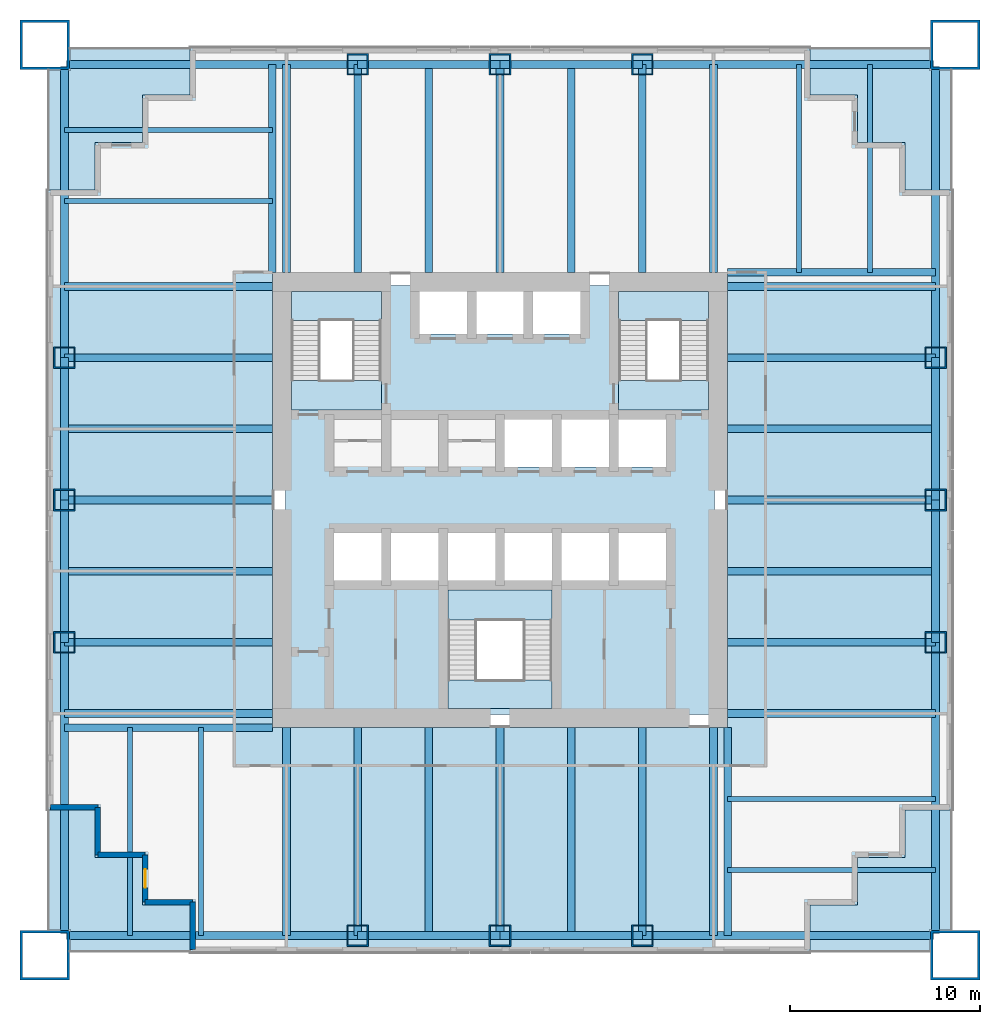
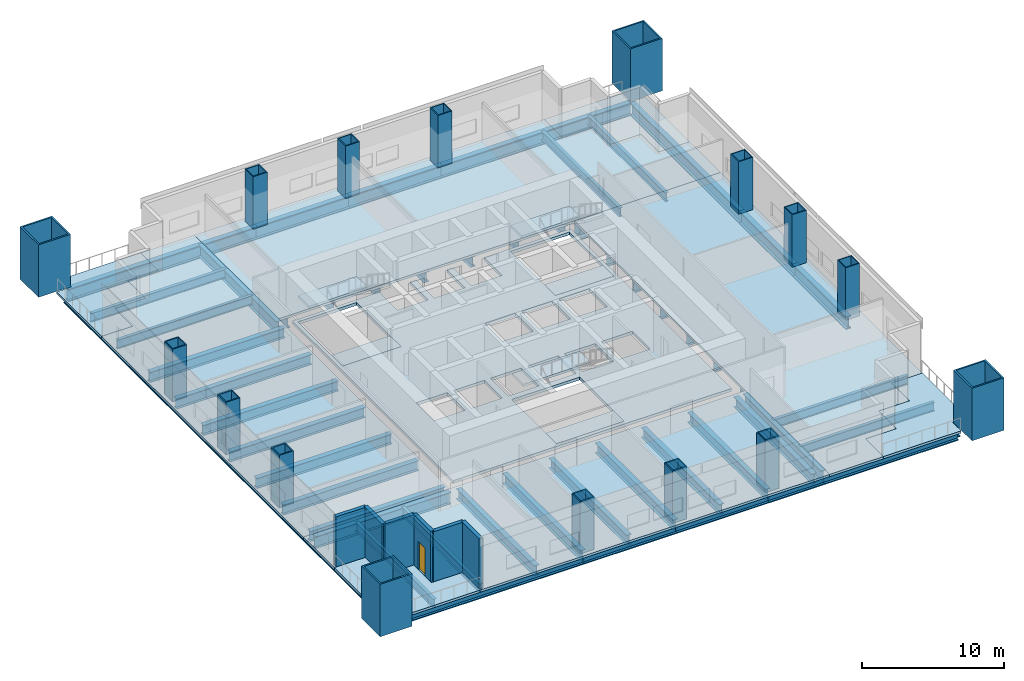
# One storey, part 1 of 7: 56 beams, 16 columns, 15 slabs, 6 walls, 1 door, 1 opening, 3 elements without a shape of their own.
"""IFC4 building model written with IfcOpenShell, lengths in metres."""

from ifc_helpers import new_model, si_unit, direction, frame, frame_2d, origin, origin_2d, place, context, subcontext, project, spatial, polyline, rectangle, hollow_rectangle, i_section, outline, extrude, material, layer, layer_set, material_profile, profile_set, type_object, element, fill, aggregate, save


model = new_model("IFC4")

# Units and contexts
model_context = context("Model", 3, precision=1e-05, world=origin(), true_north=direction((0.0, 1.0)))
body_context = subcontext(model_context, "Body", "Model", "MODEL_VIEW")
ifc_project = project(units=[si_unit("LENGTHUNIT", "METRE"), si_unit("AREAUNIT", "SQUARE_METRE"), si_unit("VOLUMEUNIT", "CUBIC_METRE"), si_unit("PLANEANGLEUNIT", "RADIAN"), si_unit("MASSUNIT", "GRAM", prefix="KILO")], contexts=[model_context])

# Site, building, storey
site_placement = place(None, origin())
site = spatial("IfcSite", under=ifc_project, at=site_placement, CompositionType="ELEMENT")
building_placement = place(site_placement, origin())
building = spatial("IfcBuilding", under=site, at=building_placement, Name="Tarangal Relay Tower", CompositionType="ELEMENT")
storey_placement = place(building_placement, frame((0.0, 0.0, 149.39990234375)))
storey = spatial("IfcBuildingStorey", under=building, at=storey_placement, Name="L30", CompositionType="ELEMENT", Elevation=149.39990234375)

# Columns
ifc_material_1 = material(Name="Steel ASTM A572 Grade 42", Category="steel")
ifc_material_profile_1 = material_profile(ifc_material_1, hollow_rectangle(XDim=2.60009765625, YDim=2.60009765625, WallThickness=0.1298828125, at=origin_2d()), Name="BOX2600X2600X130")
ifc_profile_set_1 = profile_set([ifc_material_profile_1], Name="Steel ASTM A572 Grade 42")
column_type_1 = type_object("IfcColumnType", Name="Mega column BOX2600X2600X130", PredefinedType="COLUMN", material=ifc_profile_set_1)
for number, where, z_axis, x_axis, name in (
    (1, (24.0, 24.0, 0.0), (0.0, 0.0, 1.0), (1.0, 0.0, 0.0), "Mega column MC2 NE L30"),
    (2, (24.0, -24.0, 0.0), (0.0, 0.0, 1.0), (1.0, 0.0, 0.0), "Mega column MC2 SE L30"),
    (3, (-24.0, -24.0, 0.0), (0.0, 0.0, 1.0), (1.0, 0.0, 0.0), "Mega column MC2 SW L30"),
    (4, (-24.0, 24.0, 0.0), (0.0, 0.0, 1.0), (1.0, 0.0, 0.0), "Mega column MC2 NW L30"),
):
    element("IfcColumn", number, at=place(storey_placement, frame(where, z_axis=z_axis, x_axis=x_axis)), inside=storey, type_object=column_type_1, Name=name, PredefinedType="COLUMN", context=body_context, shape_type="SweptSolid", body=[
        extrude(hollow_rectangle(XDim=2.60009765625, YDim=2.60009765625, WallThickness=0.1298828125, at=origin_2d()), origin(), (0.0, 0.0, 1.0), 4.5),
    ])
ifc_material_2 = material(Name="Steel ASTM A572 Grade 50", Category="steel")
ifc_material_profile_2 = material_profile(ifc_material_2, hollow_rectangle(XDim=1.14990234375, YDim=1.14990234375, WallThickness=0.074951171875, at=origin_2d()), Name="BOX1150X1150X75")
ifc_profile_set_2 = profile_set([ifc_material_profile_2], Name="Steel ASTM A572 Grade 50")
column_type_2 = type_object("IfcColumnType", Name="Perimeter column BOX1150X1150X75", PredefinedType="COLUMN", material=ifc_profile_set_2)
for number, where, z_axis, x_axis, name in (
    (5, (-7.5, 22.965087890625, 0.0), (0.0, 0.0, 1.0), (1.0, 0.0, 0.0), "Perimeter column PC3 N L30"),
    (6, (0.0, 22.965087890625, 0.0), (0.0, 0.0, 1.0), (1.0, 0.0, 0.0), "Perimeter column PC3 N L30"),
    (7, (7.5, 22.965087890625, 0.0), (0.0, 0.0, 1.0), (1.0, 0.0, 0.0), "Perimeter column PC3 N L30"),
    (8, (22.965087890625, 7.5, 0.0), (0.0, 0.0, 1.0), (1.0, 0.0, 0.0), "Perimeter column PC3 E L30"),
    (9, (22.965087890625, 0.0, 0.0), (0.0, 0.0, 1.0), (1.0, 0.0, 0.0), "Perimeter column PC3 E L30"),
    (10, (22.965087890625, -7.5, 0.0), (0.0, 0.0, 1.0), (1.0, 0.0, 0.0), "Perimeter column PC3 E L30"),
    (11, (7.5, -22.965087890625, 0.0), (0.0, 0.0, 1.0), (1.0, 0.0, 0.0), "Perimeter column PC3 S L30"),
    (12, (0.0, -22.965087890625, 0.0), (0.0, 0.0, 1.0), (1.0, 0.0, 0.0), "Perimeter column PC3 S L30"),
    (13, (-7.5, -22.965087890625, 0.0), (0.0, 0.0, 1.0), (1.0, 0.0, 0.0), "Perimeter column PC3 S L30"),
    (14, (-22.965087890625, -7.5, 0.0), (0.0, 0.0, 1.0), (1.0, 0.0, 0.0), "Perimeter column PC3 W L30"),
    (15, (-22.965087890625, 0.0, 0.0), (0.0, 0.0, 1.0), (1.0, 0.0, 0.0), "Perimeter column PC3 W L30"),
    (16, (-22.965087890625, 7.5, 0.0), (0.0, 0.0, 1.0), (1.0, 0.0, 0.0), "Perimeter column PC3 W L30"),
):
    element("IfcColumn", number, at=place(storey_placement, frame(where, z_axis=z_axis, x_axis=x_axis)), inside=storey, type_object=column_type_2, Name=name, PredefinedType="COLUMN", context=body_context, shape_type="SweptSolid", body=[
        extrude(hollow_rectangle(XDim=1.14990234375, YDim=1.14990234375, WallThickness=0.074951171875, at=origin_2d()), origin(), (0.0, 0.0, 1.0), 4.5),
    ])

# Beams
ifc_material_3 = material(Name="Steel ASTM A992", Category="steel")
ifc_material_profile_3 = material_profile(ifc_material_3, i_section(OverallWidth=0.2666015625, OverallDepth=0.76953125, WebThickness=0.015625, FlangeThickness=0.025390625, at=origin_2d()), Name="W30X132")
ifc_profile_set_3 = profile_set([ifc_material_profile_3], Name="Steel ASTM A992")
beam_type_1 = type_object("IfcBeamType", Name="Corner beam W30X132", PredefinedType="JOIST", material=ifc_profile_set_3)
for number, where, z_axis, x_axis, name in (
    (17, (15.75, 12.0, -0.584716796875), (0.0, 1.0, 0.0), (-1.0, 0.0, 0.0), "Corner beam CB13 N L30"),
    (18, (19.5, 12.0, -0.584716796875), (0.0, 1.0, 0.0), (-1.0, 0.0, 0.0), "Corner beam CB13 N L30"),
    (19, (12.0, -15.75, -0.584716796875), (1.0, 0.0, 0.0), (0.0, 1.0, 0.0), "Corner beam CB13 E L30"),
    (20, (12.0, -19.5, -0.584716796875), (1.0, 0.0, 0.0), (0.0, 1.0, 0.0), "Corner beam CB13 E L30"),
    (21, (-15.75, -12.0, -0.584716796875), (0.0, -1.0, 0.0), (1.0, 0.0, 0.0), "Corner beam CB13 S L30"),
    (22, (-19.5, -12.0, -0.584716796875), (0.0, -1.0, 0.0), (1.0, 0.0, 0.0), "Corner beam CB13 S L30"),
    (23, (-12.0, 15.75, -0.584716796875), (-1.0, 0.0, 0.0), (0.0, -1.0, 0.0), "Corner beam CB13 W L30"),
    (24, (-12.0, 19.5, -0.584716796875), (-1.0, 0.0, 0.0), (0.0, -1.0, 0.0), "Corner beam CB13 W L30"),
):
    element("IfcBeam", number, at=place(storey_placement, frame(where, z_axis=z_axis, x_axis=x_axis)), inside=storey, type_object=beam_type_1, Name=name, PredefinedType="JOIST", context=body_context, shape_type="SweptSolid", body=[
        extrude(i_section(OverallWidth=0.2666015625, OverallDepth=0.76953125, WebThickness=0.015625, FlangeThickness=0.025390625, at=origin_2d()), origin(), (0.0, 0.0, 1.0), 10.965087890625),
    ])
ifc_material_profile_4 = material_profile(ifc_material_3, i_section(OverallWidth=0.4013671875, OverallDepth=1.01611328125, WebThickness=0.02099609375, FlangeThickness=0.0400390625, at=origin_2d()), Name="W40X277")
ifc_profile_set_4 = profile_set([ifc_material_profile_4], Name="Steel ASTM A992")
beam_type_2 = type_object("IfcBeamType", Name="Corner girder W40X277", PredefinedType="BEAM", material=ifc_profile_set_4)
for number, where, z_axis, x_axis, name in (
    (25, (12.0, 12.0, -0.7080078125), (1.0, 0.0, 0.0), (0.0, 1.0, 0.0), "Corner girder CG3 N L30"),
    (26, (12.0, -12.0, -0.7080078125), (0.0, -1.0, 0.0), (1.0, 0.0, 0.0), "Corner girder CG3 E L30"),
    (27, (-12.0, -12.0, -0.7080078125), (-1.0, 0.0, 0.0), (0.0, -1.0, 0.0), "Corner girder CG3 S L30"),
    (28, (-12.0, 12.0, -0.7080078125), (0.0, 1.0, 0.0), (-1.0, 0.0, 0.0), "Corner girder CG3 W L30"),
):
    element("IfcBeam", number, at=place(storey_placement, frame(where, z_axis=z_axis, x_axis=x_axis)), inside=storey, type_object=beam_type_2, Name=name, PredefinedType="BEAM", context=body_context, shape_type="SweptSolid", body=[
        extrude(i_section(OverallWidth=0.4013671875, OverallDepth=1.01611328125, WebThickness=0.02099609375, FlangeThickness=0.0400390625, at=origin_2d()), origin(), (0.0, 0.0, 1.0), 10.965087890625),
    ])
ifc_material_profile_5 = material_profile(ifc_material_3, i_section(OverallWidth=0.42431640625, OverallDepth=1.09228515625, WebThickness=0.04541015625, FlangeThickness=0.08203125, at=origin_2d()), Name="W40X593")
ifc_profile_set_5 = profile_set([ifc_material_profile_5], Name="Steel ASTM A992")
beam_type_3 = type_object("IfcBeamType", Name="Edge girder W40X593", PredefinedType="SPANDREL", material=ifc_profile_set_5)
beam_1_placement = place(storey_placement, frame((-22.85009765625, 22.965087890625, -0.74609375), z_axis=(1.0, 0.0, 0.0), x_axis=(0.0, 1.0, 0.0)))
element("IfcBeam", 29, at=beam_1_placement, inside=storey, type_object=beam_type_3, Name="Edge girder EG9 N L30", PredefinedType="SPANDREL", context=body_context, shape_type="SweptSolid", body=[
    extrude(i_section(OverallWidth=0.42431640625, OverallDepth=1.09228515625, WebThickness=0.04541015625, FlangeThickness=0.08203125, at=origin_2d()), origin(), (0.0, 0.0, 1.0), 15.35009765625),
])
for number, where, z_axis, x_axis, name in (
    (30, (-7.5, 22.965087890625, -0.74609375), (1.0, 0.0, 0.0), (0.0, 1.0, 0.0), "Edge girder EG9 N L30"),
    (31, (0.0, 22.965087890625, -0.74609375), (1.0, 0.0, 0.0), (0.0, 1.0, 0.0), "Edge girder EG9 N L30"),
):
    element("IfcBeam", number, at=place(storey_placement, frame(where, z_axis=z_axis, x_axis=x_axis)), inside=storey, type_object=beam_type_3, Name=name, PredefinedType="SPANDREL", context=body_context, shape_type="SweptSolid", body=[
        extrude(i_section(OverallWidth=0.42431640625, OverallDepth=1.09228515625, WebThickness=0.04541015625, FlangeThickness=0.08203125, at=origin_2d()), origin(), (0.0, 0.0, 1.0), 7.5),
    ])
for number, where, z_axis, x_axis, name in (
    (32, (7.5, 22.965087890625, -0.74609375), (1.0, 0.0, 0.0), (0.0, 1.0, 0.0), "Edge girder EG9 N L30"),
    (33, (22.965087890625, 22.85009765625, -0.74609375), (0.0, -1.0, 0.0), (1.0, 0.0, 0.0), "Edge girder EG9 E L30"),
):
    element("IfcBeam", number, at=place(storey_placement, frame(where, z_axis=z_axis, x_axis=x_axis)), inside=storey, type_object=beam_type_3, Name=name, PredefinedType="SPANDREL", context=body_context, shape_type="SweptSolid", body=[
        extrude(i_section(OverallWidth=0.42431640625, OverallDepth=1.09228515625, WebThickness=0.04541015625, FlangeThickness=0.08203125, at=origin_2d()), origin(), (0.0, 0.0, 1.0), 15.35009765625),
    ])
for number, where, z_axis, x_axis, name in (
    (34, (22.965087890625, 7.5, -0.74609375), (0.0, -1.0, 0.0), (1.0, 0.0, 0.0), "Edge girder EG9 E L30"),
    (35, (22.965087890625, 0.0, -0.74609375), (0.0, -1.0, 0.0), (1.0, 0.0, 0.0), "Edge girder EG9 E L30"),
):
    element("IfcBeam", number, at=place(storey_placement, frame(where, z_axis=z_axis, x_axis=x_axis)), inside=storey, type_object=beam_type_3, Name=name, PredefinedType="SPANDREL", context=body_context, shape_type="SweptSolid", body=[
        extrude(i_section(OverallWidth=0.42431640625, OverallDepth=1.09228515625, WebThickness=0.04541015625, FlangeThickness=0.08203125, at=origin_2d()), origin(), (0.0, 0.0, 1.0), 7.5),
    ])
for number, where, z_axis, x_axis, name in (
    (36, (22.965087890625, -7.5, -0.74609375), (0.0, -1.0, 0.0), (1.0, 0.0, 0.0), "Edge girder EG9 E L30"),
    (37, (22.85009765625, -22.965087890625, -0.74609375), (-1.0, 0.0, 0.0), (0.0, -1.0, 0.0), "Edge girder EG9 S L30"),
):
    element("IfcBeam", number, at=place(storey_placement, frame(where, z_axis=z_axis, x_axis=x_axis)), inside=storey, type_object=beam_type_3, Name=name, PredefinedType="SPANDREL", context=body_context, shape_type="SweptSolid", body=[
        extrude(i_section(OverallWidth=0.42431640625, OverallDepth=1.09228515625, WebThickness=0.04541015625, FlangeThickness=0.08203125, at=origin_2d()), origin(), (0.0, 0.0, 1.0), 15.35009765625),
    ])
for number, where, z_axis, x_axis, name in (
    (38, (7.5, -22.965087890625, -0.74609375), (-1.0, 0.0, 0.0), (0.0, -1.0, 0.0), "Edge girder EG9 S L30"),
    (39, (0.0, -22.965087890625, -0.74609375), (-1.0, 0.0, 0.0), (0.0, -1.0, 0.0), "Edge girder EG9 S L30"),
):
    element("IfcBeam", number, at=place(storey_placement, frame(where, z_axis=z_axis, x_axis=x_axis)), inside=storey, type_object=beam_type_3, Name=name, PredefinedType="SPANDREL", context=body_context, shape_type="SweptSolid", body=[
        extrude(i_section(OverallWidth=0.42431640625, OverallDepth=1.09228515625, WebThickness=0.04541015625, FlangeThickness=0.08203125, at=origin_2d()), origin(), (0.0, 0.0, 1.0), 7.5),
    ])
for number, where, z_axis, x_axis, name in (
    (40, (-7.5, -22.965087890625, -0.74609375), (-1.0, 0.0, 0.0), (0.0, -1.0, 0.0), "Edge girder EG9 S L30"),
    (41, (-22.965087890625, -22.85009765625, -0.74609375), (0.0, 1.0, 0.0), (-1.0, 0.0, 0.0), "Edge girder EG9 W L30"),
):
    element("IfcBeam", number, at=place(storey_placement, frame(where, z_axis=z_axis, x_axis=x_axis)), inside=storey, type_object=beam_type_3, Name=name, PredefinedType="SPANDREL", context=body_context, shape_type="SweptSolid", body=[
        extrude(i_section(OverallWidth=0.42431640625, OverallDepth=1.09228515625, WebThickness=0.04541015625, FlangeThickness=0.08203125, at=origin_2d()), origin(), (0.0, 0.0, 1.0), 15.35009765625),
    ])
for number, where, z_axis, x_axis, name in (
    (42, (-22.965087890625, -7.5, -0.74609375), (0.0, 1.0, 0.0), (-1.0, 0.0, 0.0), "Edge girder EG9 W L30"),
    (43, (-22.965087890625, 0.0, -0.74609375), (0.0, 1.0, 0.0), (-1.0, 0.0, 0.0), "Edge girder EG9 W L30"),
):
    element("IfcBeam", number, at=place(storey_placement, frame(where, z_axis=z_axis, x_axis=x_axis)), inside=storey, type_object=beam_type_3, Name=name, PredefinedType="SPANDREL", context=body_context, shape_type="SweptSolid", body=[
        extrude(i_section(OverallWidth=0.42431640625, OverallDepth=1.09228515625, WebThickness=0.04541015625, FlangeThickness=0.08203125, at=origin_2d()), origin(), (0.0, 0.0, 1.0), 7.5),
    ])
beam_2_placement = place(storey_placement, frame((-22.965087890625, 7.5, -0.74609375), z_axis=(0.0, 1.0, 0.0), x_axis=(-1.0, 0.0, 0.0)))
element("IfcBeam", 44, at=beam_2_placement, inside=storey, type_object=beam_type_3, Name="Edge girder EG9 W L30", PredefinedType="SPANDREL", context=body_context, shape_type="SweptSolid", body=[
    extrude(i_section(OverallWidth=0.42431640625, OverallDepth=1.09228515625, WebThickness=0.04541015625, FlangeThickness=0.08203125, at=origin_2d()), origin(), (0.0, 0.0, 1.0), 15.35009765625),
])
ifc_material_profile_6 = material_profile(ifc_material_3, i_section(OverallWidth=0.40380859375, OverallDepth=0.86865234375, WebThickness=0.02099609375, FlangeThickness=0.03564453125, at=origin_2d()), Name="W33X241")
ifc_profile_set_6 = profile_set([ifc_material_profile_6], Name="Steel ASTM A992")
beam_type_4 = type_object("IfcBeamType", Name="Floor beam W33X241", PredefinedType="BEAM", material=ifc_profile_set_6)
for number, where, z_axis, x_axis, name in (
    (45, (-11.25, 12.0, -0.63427734375), (0.0, 1.0, 0.0), (-1.0, 0.0, 0.0), "Floor beam RB11 N L30"),
    (46, (-7.5, 12.0, -0.63427734375), (0.0, 1.0, 0.0), (-1.0, 0.0, 0.0), "Floor beam RB11 N L30"),
    (47, (-3.75, 12.0, -0.63427734375), (0.0, 1.0, 0.0), (-1.0, 0.0, 0.0), "Floor beam RB11 N L30"),
    (48, (0.0, 12.0, -0.63427734375), (0.0, 1.0, 0.0), (-1.0, 0.0, 0.0), "Floor beam RB11 N L30"),
    (49, (3.75, 12.0, -0.63427734375), (0.0, 1.0, 0.0), (-1.0, 0.0, 0.0), "Floor beam RB11 N L30"),
    (50, (7.5, 12.0, -0.63427734375), (0.0, 1.0, 0.0), (-1.0, 0.0, 0.0), "Floor beam RB11 N L30"),
    (51, (11.25, 12.0, -0.63427734375), (0.0, 1.0, 0.0), (-1.0, 0.0, 0.0), "Floor beam RB11 N L30"),
    (52, (12.0, 11.25, -0.63427734375), (1.0, 0.0, 0.0), (0.0, 1.0, 0.0), "Floor beam RB11 E L30"),
    (53, (12.0, 7.5, -0.63427734375), (1.0, 0.0, 0.0), (0.0, 1.0, 0.0), "Floor beam RB11 E L30"),
    (54, (12.0, 3.75, -0.63427734375), (1.0, 0.0, 0.0), (0.0, 1.0, 0.0), "Floor beam RB11 E L30"),
    (55, (12.0, 0.0, -0.63427734375), (1.0, 0.0, 0.0), (0.0, 1.0, 0.0), "Floor beam RB11 E L30"),
    (56, (12.0, -3.75, -0.63427734375), (1.0, 0.0, 0.0), (0.0, 1.0, 0.0), "Floor beam RB11 E L30"),
    (57, (12.0, -7.5, -0.63427734375), (1.0, 0.0, 0.0), (0.0, 1.0, 0.0), "Floor beam RB11 E L30"),
    (58, (12.0, -11.25, -0.63427734375), (1.0, 0.0, 0.0), (0.0, 1.0, 0.0), "Floor beam RB11 E L30"),
    (59, (11.25, -12.0, -0.63427734375), (0.0, -1.0, 0.0), (1.0, 0.0, 0.0), "Floor beam RB11 S L30"),
    (60, (7.5, -12.0, -0.63427734375), (0.0, -1.0, 0.0), (1.0, 0.0, 0.0), "Floor beam RB11 S L30"),
    (61, (3.75, -12.0, -0.63427734375), (0.0, -1.0, 0.0), (1.0, 0.0, 0.0), "Floor beam RB11 S L30"),
    (62, (0.0, -12.0, -0.63427734375), (0.0, -1.0, 0.0), (1.0, 0.0, 0.0), "Floor beam RB11 S L30"),
    (63, (-3.75, -12.0, -0.63427734375), (0.0, -1.0, 0.0), (1.0, 0.0, 0.0), "Floor beam RB11 S L30"),
    (64, (-7.5, -12.0, -0.63427734375), (0.0, -1.0, 0.0), (1.0, 0.0, 0.0), "Floor beam RB11 S L30"),
    (65, (-11.25, -12.0, -0.63427734375), (0.0, -1.0, 0.0), (1.0, 0.0, 0.0), "Floor beam RB11 S L30"),
    (66, (-12.0, -11.25, -0.63427734375), (-1.0, 0.0, 0.0), (0.0, -1.0, 0.0), "Floor beam RB11 W L30"),
    (67, (-12.0, -7.5, -0.63427734375), (-1.0, 0.0, 0.0), (0.0, -1.0, 0.0), "Floor beam RB11 W L30"),
    (68, (-12.0, -3.75, -0.63427734375), (-1.0, 0.0, 0.0), (0.0, -1.0, 0.0), "Floor beam RB11 W L30"),
    (69, (-12.0, 0.0, -0.63427734375), (-1.0, 0.0, 0.0), (0.0, -1.0, 0.0), "Floor beam RB11 W L30"),
    (70, (-12.0, 3.75, -0.63427734375), (-1.0, 0.0, 0.0), (0.0, -1.0, 0.0), "Floor beam RB11 W L30"),
    (71, (-12.0, 7.5, -0.63427734375), (-1.0, 0.0, 0.0), (0.0, -1.0, 0.0), "Floor beam RB11 W L30"),
    (72, (-12.0, 11.25, -0.63427734375), (-1.0, 0.0, 0.0), (0.0, -1.0, 0.0), "Floor beam RB11 W L30"),
):
    element("IfcBeam", number, at=place(storey_placement, frame(where, z_axis=z_axis, x_axis=x_axis)), inside=storey, type_object=beam_type_4, Name=name, PredefinedType="BEAM", context=body_context, shape_type="SweptSolid", body=[
        extrude(i_section(OverallWidth=0.40380859375, OverallDepth=0.86865234375, WebThickness=0.02099609375, FlangeThickness=0.03564453125, at=origin_2d()), origin(), (0.0, 0.0, 1.0), 10.965087890625),
    ])

# Slabs
ifc_material_4 = material(Name="Concrete fc' 35 MPa", Category="concrete")
ifc_layer_1 = layer(ifc_material_4, 0.25)
ifc_layer_set_1 = layer_set([ifc_layer_1], Name="Core floor slab 250")
slab_type_1 = type_object("IfcSlabType", Name="Core floor slab 250", PredefinedType="FLOOR", material=ifc_layer_set_1)
slab_1_placement = place(storey_placement, frame((0.0, 0.0, -0.25)))
element("IfcSlab", 73, at=slab_1_placement, inside=storey, type_object=slab_type_1, Name="Core floor slab L30", PredefinedType="FLOOR", context=body_context, shape_type="SweptSolid", body=[
    extrude(outline(polyline([(11.300048828125, 11.300048828125), (11.300048828125, -11.300048828125), (-11.300048828125, -11.300048828125), (-11.300048828125, 11.300048828125), (-4.25, 11.300048828125), (-4.25, 8.75), (-1.75, 8.75), (-1.75, 11.300048828125), (-1.25, 11.300048828125), (-1.25, 8.75), (1.25, 8.75), (1.25, 11.300048828125), (1.75, 11.300048828125), (1.75, 8.75), (4.25, 8.75), (4.25, 11.300048828125), (11.300048828125, 11.300048828125)]), holes=[polyline([(2.75, -4.75), (-2.75, -4.75), (-2.75, -11.0), (2.75, -11.0), (2.75, -4.75)]), polyline([(-6.25, -4.25), (-6.25, -1.75), (-8.75, -1.75), (-8.75, -4.25), (-6.25, -4.25)]), polyline([(-3.25, -4.25), (-3.25, -1.75), (-5.75, -1.75), (-5.75, -4.25), (-3.25, -4.25)]), polyline([(-0.25, -4.25), (-0.25, -1.75), (-2.75, -1.75), (-2.75, -4.25), (-0.25, -4.25)]), polyline([(2.75, 1.75), (2.75, 4.25), (0.25, 4.25), (0.25, 1.75), (2.75, 1.75)]), polyline([(-6.25, 4.75), (-6.25, 11.0), (-11.0, 11.0), (-11.0, 4.75), (-6.25, 4.75)]), polyline([(2.75, -4.25), (2.75, -1.75), (0.25, -1.75), (0.25, -4.25), (2.75, -4.25)]), polyline([(5.75, -4.25), (5.75, -1.75), (3.25, -1.75), (3.25, -4.25), (5.75, -4.25)]), polyline([(8.75, -4.25), (8.75, -1.75), (6.25, -1.75), (6.25, -4.25), (8.75, -4.25)]), polyline([(5.75, 1.75), (5.75, 4.25), (3.25, 4.25), (3.25, 1.75), (5.75, 1.75)]), polyline([(8.75, 1.75), (8.75, 4.25), (6.25, 4.25), (6.25, 1.75), (8.75, 1.75)]), polyline([(11.0, 4.75), (11.0, 11.0), (6.25, 11.0), (6.25, 4.75), (11.0, 4.75)])]), origin(), (0.0, 0.0, 1.0), 0.25),
])
ifc_layer_2 = layer(ifc_material_4, 0.199951171875)
ifc_layer_set_2 = layer_set([ifc_layer_2], Name="Floor slab 200")
slab_type_2 = type_object("IfcSlabType", Name="Floor slab 200", PredefinedType="FLOOR", material=ifc_layer_set_2)
slab_2_placement = place(storey_placement, frame((0.0, 0.0, -0.199951171875)))
element("IfcSlab", 74, at=slab_2_placement, inside=storey, type_object=slab_type_2, Name="Floor slab FS2 L30 north bay", PredefinedType="FLOOR", context=body_context, shape_type="SweptSolid", body=[
    extrude(outline(polyline([(16.35009765625, 23.85009765625), (16.35009765625, 21.35009765625), (18.85009765625, 21.35009765625), (18.85009765625, 18.85009765625), (21.35009765625, 18.85009765625), (21.35009765625, 16.35009765625), (23.85009765625, 16.35009765625), (23.85009765625, 12.0), (-12.0, 12.0), (-12.0, 23.85009765625), (16.35009765625, 23.85009765625)])), origin(), (0.0, 0.0, 1.0), 0.199951171875),
])
slab_3_placement = place(storey_placement, frame((0.0, 0.0, -0.199951171875)))
element("IfcSlab", 75, at=slab_3_placement, inside=storey, type_object=slab_type_2, Name="Floor slab FS2 L30 east bay", PredefinedType="FLOOR", context=body_context, shape_type="SweptSolid", body=[
    extrude(outline(polyline([(23.85009765625, -16.35009765625), (21.35009765625, -16.35009765625), (21.35009765625, -18.85009765625), (18.85009765625, -18.85009765625), (18.85009765625, -21.35009765625), (16.35009765625, -21.35009765625), (16.35009765625, -23.85009765625), (12.0, -23.85009765625), (12.0, 12.0), (23.85009765625, 12.0), (23.85009765625, -16.35009765625)])), origin(), (0.0, 0.0, 1.0), 0.199951171875),
])
slab_4_placement = place(storey_placement, frame((0.0, 0.0, -0.199951171875)))
element("IfcSlab", 76, at=slab_4_placement, inside=storey, type_object=slab_type_2, Name="Floor slab FS2 L30 south bay", PredefinedType="FLOOR", context=body_context, shape_type="SweptSolid", body=[
    extrude(outline(polyline([(-16.35009765625, -23.85009765625), (-16.35009765625, -21.35009765625), (-18.85009765625, -21.35009765625), (-18.85009765625, -18.85009765625), (-21.35009765625, -18.85009765625), (-21.35009765625, -16.35009765625), (-23.85009765625, -16.35009765625), (-23.85009765625, -12.0), (12.0, -12.0), (12.0, -23.85009765625), (-16.35009765625, -23.85009765625)])), origin(), (0.0, 0.0, 1.0), 0.199951171875),
])
slab_5_placement = place(storey_placement, frame((0.0, 0.0, -0.199951171875)))
element("IfcSlab", 77, at=slab_5_placement, inside=storey, type_object=slab_type_2, Name="Floor slab FS2 L30 west bay", PredefinedType="FLOOR", context=body_context, shape_type="SweptSolid", body=[
    extrude(outline(polyline([(-12.0, 23.85009765625), (-12.0, -12.0), (-23.85009765625, -12.0), (-23.85009765625, 16.35009765625), (-21.35009765625, 16.35009765625), (-21.35009765625, 18.85009765625), (-18.85009765625, 18.85009765625), (-18.85009765625, 21.35009765625), (-16.35009765625, 21.35009765625), (-16.35009765625, 23.85009765625), (-12.0, 23.85009765625)])), origin(), (0.0, 0.0, 1.0), 0.199951171875),
])

# Stair, slabs
ifc_material_5 = material(Name="Steel ASTM A992 stair flight", Category="steel")
stair_type = type_object("IfcStairType", Name="Core stair 1500", PredefinedType="HALF_TURN_STAIR", material=ifc_material_5)
stair_1_placement = place(storey_placement, origin())
stair_1 = element("IfcStair", 78, at=stair_1_placement, inside=storey, type_object=stair_type, Name="Stair ST-A L30", PredefinedType="HALF_TURN_STAIR")
ifc_layer_3 = layer(ifc_material_4, 0.199951171875)
ifc_layer_set_3 = layer_set([ifc_layer_3], Name="Stair landing 200")
slab_type_3 = type_object("IfcSlabType", Name="Stair landing 200", PredefinedType="LANDING", material=ifc_layer_set_3)
slab_6_placement = place(storey_placement, frame((0.0, 0.0, -0.199951171875)))
slab_6 = element("IfcSlab", 79, at=slab_6_placement, type_object=slab_type_3, Name="ST-A landing 1", PredefinedType="LANDING", context=body_context, shape_type="SweptSolid", body=[
    extrude(outline(polyline([(-11.0, 4.75), (-6.25, 4.75), (-6.25, 6.300048828125), (-11.0, 6.300048828125), (-11.0, 4.75)])), origin(), (0.0, 0.0, 1.0), 0.199951171875),
])
slab_7_placement = place(storey_placement, frame((0.0, 0.0, 2.050048828125)))
slab_7 = element("IfcSlab", 80, at=slab_7_placement, type_object=slab_type_3, Name="ST-A landing 2", PredefinedType="LANDING", context=body_context, shape_type="SweptSolid", body=[
    extrude(outline(polyline([(-11.0, 9.468017578125), (-6.25, 9.468017578125), (-6.25, 11.0), (-11.0, 11.0), (-11.0, 9.468017578125)])), origin(), (0.0, 0.0, 1.0), 0.199951171875),
])
aggregate(stair_1, [slab_6, slab_7])

stair_2_placement = place(storey_placement, origin())
stair_2 = element("IfcStair", 81, at=stair_2_placement, inside=storey, type_object=stair_type, Name="Stair ST-B L30", PredefinedType="HALF_TURN_STAIR")
slab_8_placement = place(storey_placement, frame((0.0, 0.0, -0.199951171875)))
slab_8 = element("IfcSlab", 82, at=slab_8_placement, type_object=slab_type_3, Name="ST-B landing 1", PredefinedType="LANDING", context=body_context, shape_type="SweptSolid", body=[
    extrude(outline(polyline([(6.25, 4.75), (11.0, 4.75), (11.0, 6.300048828125), (6.25, 6.300048828125), (6.25, 4.75)])), origin(), (0.0, 0.0, 1.0), 0.199951171875),
])
slab_9_placement = place(storey_placement, frame((0.0, 0.0, 2.050048828125)))
slab_9 = element("IfcSlab", 83, at=slab_9_placement, type_object=slab_type_3, Name="ST-B landing 2", PredefinedType="LANDING", context=body_context, shape_type="SweptSolid", body=[
    extrude(outline(polyline([(6.25, 9.468017578125), (11.0, 9.468017578125), (11.0, 11.0), (6.25, 11.0), (6.25, 9.468017578125)])), origin(), (0.0, 0.0, 1.0), 0.199951171875),
])
aggregate(stair_2, [slab_8, slab_9])

stair_3_placement = place(storey_placement, origin())
stair_3 = element("IfcStair", 84, at=stair_3_placement, inside=storey, type_object=stair_type, Name="Stair ST-C L30", PredefinedType="HALF_TURN_STAIR")
slab_10_placement = place(storey_placement, frame((0.0, 0.0, -0.199951171875)))
slab_10 = element("IfcSlab", 85, at=slab_10_placement, type_object=slab_type_3, Name="ST-C landing 1", PredefinedType="LANDING", context=body_context, shape_type="SweptSolid", body=[
    extrude(outline(polyline([(-2.75, -11.0), (2.75, -11.0), (2.75, -9.5), (-2.75, -9.5), (-2.75, -11.0)])), origin(), (0.0, 0.0, 1.0), 0.199951171875),
])
slab_11_placement = place(storey_placement, frame((0.0, 0.0, 2.050048828125)))
slab_11 = element("IfcSlab", 86, at=slab_11_placement, type_object=slab_type_3, Name="ST-C landing 2", PredefinedType="LANDING", context=body_context, shape_type="SweptSolid", body=[
    extrude(outline(polyline([(-2.75, -6.33203125), (2.75, -6.33203125), (2.75, -4.75), (-2.75, -4.75), (-2.75, -6.33203125)])), origin(), (0.0, 0.0, 1.0), 0.199951171875),
])
aggregate(stair_3, [slab_10, slab_11])

# Slabs
ifc_layer_4 = layer(ifc_material_4, 0.199951171875)
ifc_layer_set_4 = layer_set([ifc_layer_4], Name="Terrace slab 200")
slab_type_4 = type_object("IfcSlabType", Name="Terrace slab 200", PredefinedType="FLOOR", material=ifc_layer_set_4)
slab_12_placement = place(storey_placement, frame((0.0, 0.0, -0.199951171875)))
element("IfcSlab", 87, at=slab_12_placement, inside=storey, type_object=slab_type_4, Name="Corner terrace NE L30", PredefinedType="FLOOR", context=body_context, shape_type="SweptSolid", body=[
    extrude(outline(polyline([(16.35009765625, 23.85009765625), (16.35009765625, 21.35009765625), (18.85009765625, 21.35009765625), (18.85009765625, 18.85009765625), (21.35009765625, 18.85009765625), (21.35009765625, 16.35009765625), (23.85009765625, 16.35009765625), (23.85009765625, 22.64990234375), (22.64990234375, 22.64990234375), (22.64990234375, 23.85009765625), (16.35009765625, 23.85009765625)])), origin(), (0.0, 0.0, 1.0), 0.199951171875),
])
slab_13_placement = place(storey_placement, frame((0.0, 0.0, -0.199951171875)))
element("IfcSlab", 88, at=slab_13_placement, inside=storey, type_object=slab_type_4, Name="Corner terrace SE L30", PredefinedType="FLOOR", context=body_context, shape_type="SweptSolid", body=[
    extrude(outline(polyline([(23.85009765625, -16.35009765625), (21.35009765625, -16.35009765625), (21.35009765625, -18.85009765625), (18.85009765625, -18.85009765625), (18.85009765625, -21.35009765625), (16.35009765625, -21.35009765625), (16.35009765625, -23.85009765625), (22.64990234375, -23.85009765625), (22.64990234375, -22.64990234375), (23.85009765625, -22.64990234375), (23.85009765625, -16.35009765625)])), origin(), (0.0, 0.0, 1.0), 0.199951171875),
])
slab_14_placement = place(storey_placement, frame((0.0, 0.0, -0.199951171875)))
element("IfcSlab", 89, at=slab_14_placement, inside=storey, type_object=slab_type_4, Name="Corner terrace SW L30", PredefinedType="FLOOR", context=body_context, shape_type="SweptSolid", body=[
    extrude(outline(polyline([(-16.35009765625, -23.85009765625), (-16.35009765625, -21.35009765625), (-18.85009765625, -21.35009765625), (-18.85009765625, -18.85009765625), (-21.35009765625, -18.85009765625), (-21.35009765625, -16.35009765625), (-23.85009765625, -16.35009765625), (-23.85009765625, -22.64990234375), (-22.64990234375, -22.64990234375), (-22.64990234375, -23.85009765625), (-16.35009765625, -23.85009765625)])), origin(), (0.0, 0.0, 1.0), 0.199951171875),
])
slab_15_placement = place(storey_placement, frame((0.0, 0.0, -0.199951171875)))
element("IfcSlab", 90, at=slab_15_placement, inside=storey, type_object=slab_type_4, Name="Corner terrace NW L30", PredefinedType="FLOOR", context=body_context, shape_type="SweptSolid", body=[
    extrude(outline(polyline([(-23.85009765625, 16.35009765625), (-21.35009765625, 16.35009765625), (-21.35009765625, 18.85009765625), (-18.85009765625, 18.85009765625), (-18.85009765625, 21.35009765625), (-16.35009765625, 21.35009765625), (-16.35009765625, 23.85009765625), (-22.64990234375, 23.85009765625), (-22.64990234375, 22.64990234375), (-23.85009765625, 22.64990234375), (-23.85009765625, 16.35009765625)])), origin(), (0.0, 0.0, 1.0), 0.199951171875),
])

# Walls
ifc_material_6 = material(Name="Insulated precast concrete fc' 40 MPa", Category="concrete")
ifc_layer_5 = layer(ifc_material_6, 0.300048828125)
ifc_layer_set_5 = layer_set([ifc_layer_5], Name="Insulated precast concrete fc' 40 MPa")
wall_type = type_object("IfcWallType", Name="Facade wall precast 300", PredefinedType="SOLIDWALL", material=ifc_layer_set_5)
for number, where, z_axis, x_axis, name in (
    (91, (-16.199951171875, -23.699951171875, 0.0), (0.0, 0.0, 1.0), (0.0, 1.0, 0.0), "Facade wall S facade L30"),
    (92, (-16.199951171875, -21.199951171875, 0.0), (0.0, 0.0, 1.0), (-1.0, 0.0, 0.0), "Facade wall S facade L30"),
):
    element("IfcWall", number, at=place(storey_placement, frame(where, z_axis=z_axis, x_axis=x_axis)), inside=storey, type_object=wall_type, Name=name, PredefinedType="SOLIDWALL", context=body_context, shape_type="SweptSolid", body=[
        extrude(rectangle(XDim=2.5, YDim=0.300048828125, at=frame_2d((1.25, 0.0))), origin(), (0.0, 0.0, 1.0), 4.300048828125),
    ])

# Wall, opening, door
wall_placement = place(storey_placement, frame((-18.699951171875, -21.199951171875, 0.0), z_axis=(0.0, 0.0, 1.0), x_axis=(0.0, 1.0, 0.0)))
wall = element("IfcWall", 93, at=wall_placement, inside=storey, type_object=wall_type, Name="Facade wall S facade L30", PredefinedType="SOLIDWALL", context=body_context, shape_type="SweptSolid", body=[
    extrude(rectangle(XDim=2.5, YDim=0.300048828125, at=frame_2d((1.25, 0.0))), origin(), (0.0, 0.0, 1.0), 4.300048828125),
])
opening_placement = place(wall_placement, frame((0.75, 0.0, 0.0)))
opening = element("IfcOpeningElement", 94, at=opening_placement, cuts=wall, Name="Opening TD1", PredefinedType="OPENING", context=body_context, shape_type="SweptSolid", body=[
    extrude(rectangle(XDim=1.0, YDim=2.39990234375, at=frame_2d((0.5, 1.199951171875))), frame((0.0, 0.159912109375, 0.0), z_axis=(0.0, -1.0, 0.0), x_axis=(1.0, 0.0, 0.0)), (0.0, 0.0, 1.0), 0.320068359375),
])
ifc_material_7 = material(Name="Aluminium glazed door", Category="aluminium")
door_type = type_object("IfcDoorType", Name="Terrace door 1000 x 2400", OperationType="SINGLE_SWING_RIGHT", PredefinedType="DOOR", material=ifc_material_7)
door_placement = place(opening_placement, origin())
door = element("IfcDoor", 95, at=door_placement, inside=storey, type_object=door_type, Name="Terrace door TD1 SW L30", OperationType="SINGLE_SWING_RIGHT", OverallHeight=2.39990234375, OverallWidth=1.0, PredefinedType="DOOR", context=body_context, shape_type="SweptSolid", body=[
    extrude(rectangle(XDim=1.0, YDim=2.39990234375, at=frame_2d((0.5, 1.199951171875))), frame((0.0, 0.02490234375, 0.0), z_axis=(0.0, -1.0, 0.0), x_axis=(1.0, 0.0, 0.0)), (0.0, 0.0, 1.0), 0.050048828125),
])
fill(opening, door)

# Walls
for number, where, z_axis, x_axis, name in (
    (96, (-18.699951171875, -18.699951171875, 0.0), (0.0, 0.0, 1.0), (-1.0, 0.0, 0.0), "Facade wall S facade L30"),
    (97, (-21.199951171875, -18.699951171875, 0.0), (0.0, 0.0, 1.0), (0.0, 1.0, 0.0), "Facade wall S facade L30"),
    (98, (-21.199951171875, -16.199951171875, 0.0), (0.0, 0.0, 1.0), (-1.0, 0.0, 0.0), "Facade wall S facade L30"),
):
    element("IfcWall", number, at=place(storey_placement, frame(where, z_axis=z_axis, x_axis=x_axis)), inside=storey, type_object=wall_type, Name=name, PredefinedType="SOLIDWALL", context=body_context, shape_type="SweptSolid", body=[
        extrude(rectangle(XDim=2.5, YDim=0.300048828125, at=frame_2d((1.25, 0.0))), origin(), (0.0, 0.0, 1.0), 4.300048828125),
    ])

save(model, "model.ifc")
